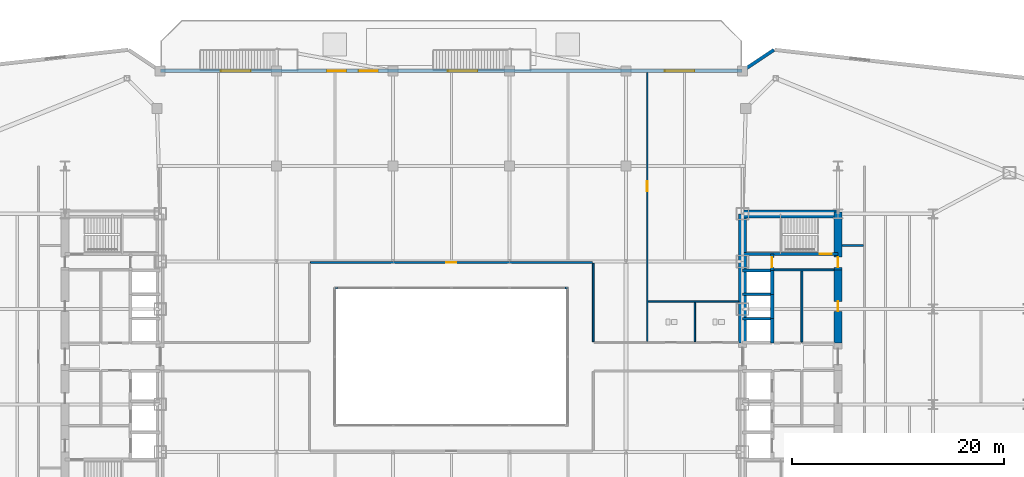
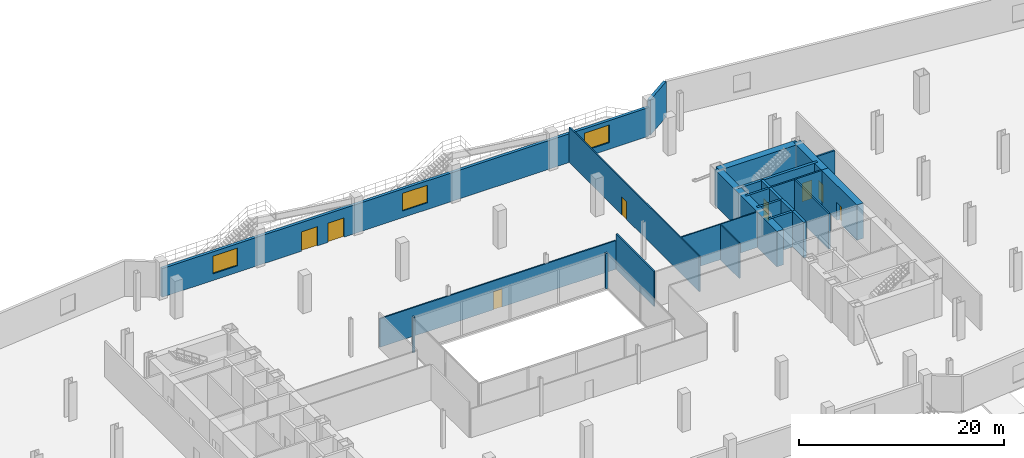
# One storey, part 19 of 25: 24 walls, 8 doors, 3 windows, 11 openings.
"""IFC4 building model written with IfcOpenShell, lengths in metres."""

from ifc_helpers import new_model, si_unit, direction, frame, frame_2d, origin, place, context, subcontext, project, spatial, rectangle, extrude, source, transform, mapped, material, layer, layer_set, type_object, type_shapes, element, fill, save


model = new_model("IFC4")

# Units and contexts
model_context = context("Model", 3, precision=1e-05, world=origin(), true_north=direction((0.0, 1.0)))
body_context = subcontext(model_context, "Body", "Model", "MODEL_VIEW")
ifc_project = project(units=[si_unit("LENGTHUNIT", "METRE"), si_unit("AREAUNIT", "SQUARE_METRE"), si_unit("VOLUMEUNIT", "CUBIC_METRE"), si_unit("PLANEANGLEUNIT", "RADIAN"), si_unit("MASSUNIT", "GRAM", prefix="KILO")], contexts=[model_context])

# Site, building, storey
site_placement = place(None, origin())
site = spatial("IfcSite", under=ifc_project, at=site_placement, CompositionType="ELEMENT")
building_placement = place(site_placement, origin())
building = spatial("IfcBuilding", under=site, at=building_placement, Name="Seokmaru Belvedere", CompositionType="ELEMENT")
storey_placement = place(building_placement, frame((0.0, 0.0, 5.39990234375)))
storey = spatial("IfcBuildingStorey", under=building, at=storey_placement, Name="L01", CompositionType="ELEMENT", Elevation=5.39990234375)

# Wall, opening, door
ifc_material_1 = material(Name="Fire-Rated Gypsum Shaftwall")
ifc_layer_1 = layer(ifc_material_1, 0.14990234375)
ifc_layer_set_1 = layer_set([ifc_layer_1], Name="Fire-Rated Gypsum Shaftwall")
wall_type_1 = type_object("IfcWallType", Name="Apartment Fire-Acoustic Room Partition 150", PredefinedType="PARTITIONING", material=ifc_layer_set_1)
wall_1_placement = place(storey_placement, frame((-13.31494140625, 8.89990234375, 0.0), z_axis=(0.0, 0.0, 1.0), x_axis=(1.0, 0.0, 0.0)))
wall_1 = element("IfcWall", 1, at=wall_1_placement, inside=storey, type_object=wall_type_1, Name="L01 Interior Partition 009", PredefinedType="PARTITIONING", context=body_context, shape_type="SweptSolid", body=[
    extrude(rectangle(XDim=26.6298828125, YDim=0.14990234375, at=frame_2d((13.31494140625, 0.0))), origin(), (0.0, 0.0, 1.0), 3.420166015625),
])
opening_1_placement = place(wall_1_placement, frame((12.840087890625, 0.0, 0.0)))
opening_1 = element("IfcOpeningElement", 2, at=opening_1_placement, cuts=wall_1, Name="Opening D05", PredefinedType="OPENING", context=body_context, shape_type="SweptSolid", body=[
    extrude(rectangle(XDim=0.949951171875, YDim=2.14990234375, at=frame_2d((0.47509765625, 1.074951171875))), frame((0.0, 0.0849609375, 0.0), z_axis=(0.0, -1.0, 0.0), x_axis=(1.0, 0.0, 0.0)), (0.0, 0.0, 1.0), 0.169921875),
])
ifc_material_2 = material(Name="Engineered White Oak Timber", Category="wood")
door_type_1 = type_object("IfcDoorType", Name="Apartment Interior Fire-Rated Oak Door 950x2150", OperationType="NOTDEFINED", PredefinedType="DOOR", material=ifc_material_2)
shared_shape_1 = source(origin(), body_context, "Body", "SweptSolid", [
    extrude(rectangle(XDim=0.949951171875, YDim=2.14990234375, at=frame_2d((0.47509765625, 1.074951171875))), frame((0.0, 0.02490234375, 0.0), z_axis=(0.0, -1.0, 0.0), x_axis=(1.0, 0.0, 0.0)), (0.0, 0.0, 1.0), 0.050048828125),
])
type_shapes(door_type_1, [shared_shape_1])
door_1_placement = place(opening_1_placement, origin())
door_1 = element("IfcDoor", 3, at=door_1_placement, inside=storey, type_object=door_type_1, Name="L01 Interior Door 003", OperationType="SINGLE_SWING_LEFT", OverallHeight=2.14990234375, OverallWidth=0.949951171875, PredefinedType="DOOR", context=body_context, shape_type="MappedRepresentation", body=[
    mapped(shared_shape_1, transform((0.0, 0.0, 0.0), scale=1.0)),
])
fill(opening_1, door_1)

# Walls
wall_2_placement = place(storey_placement, frame((13.39990234375, 1.43505859375, 0.0), z_axis=(0.0, 0.0, 1.0), x_axis=(0.0, 1.0, 0.0)))
element("IfcWall", 4, at=wall_2_placement, inside=storey, type_object=wall_type_1, Name="L01 Interior Partition 016", PredefinedType="PARTITIONING", context=body_context, shape_type="SweptSolid", body=[
    extrude(rectangle(XDim=7.3798828125, YDim=0.14990234375, at=frame_2d((3.68994140625, 0.0))), origin(), (0.0, 0.0, 1.0), 4.22021484375),
])
ifc_material_3 = material(Name="Anodised Bronze Aluminium", Category="aluminium")
ifc_layer_2 = layer(ifc_material_3, 0.2099609375)
ifc_layer_set_2 = layer_set([ifc_layer_2], Name="Anodised Bronze Aluminium")
wall_type_2 = type_object("IfcWallType", Name="Bridge Column Spandrel Closure Pier 210", PredefinedType="SOLIDWALL", material=ifc_layer_set_2)
for number, where, z_axis, x_axis, name in (
    (5, (11.0, 6.5, 0.0), (0.0, 0.0, 1.0), (-1.0, 0.0, 0.0), "L01 Atrium Corner Closure Pier 3"),
    (6, (-11.0, 6.5, 0.0), (0.0, 0.0, 1.0), (1.0, 0.0, 0.0), "L01 Atrium Corner Closure Pier 4"),
):
    element("IfcWall", number, at=place(storey_placement, frame(where, z_axis=z_axis, x_axis=x_axis)), inside=storey, type_object=wall_type_2, Name=name, PredefinedType="SOLIDWALL", context=body_context, shape_type="SweptSolid", body=[
        extrude(rectangle(XDim=0.25, YDim=0.2099609375, at=frame_2d((0.125, 0.0))), origin(), (0.0, 0.0, 1.0), 4.22021484375),
    ])
ifc_layer_3 = layer(ifc_material_1, 0.179931640625)
ifc_layer_set_3 = layer_set([ifc_layer_3], Name="Fire-Rated Gypsum Shaftwall")
wall_type_3 = type_object("IfcWallType", Name="Core Service Fire Partition 180", PredefinedType="PARTITIONING", material=ifc_layer_set_3)
wall_3_placement = place(storey_placement, frame((30.449951171875, 8.199951171875, 0.0), z_axis=(0.0, 0.0, 1.0), x_axis=(1.0, 0.0, 0.0)))
element("IfcWall", 7, at=wall_3_placement, inside=storey, type_object=wall_type_3, Name="L01 East Smokeproof Vestibule Partition", PredefinedType="PARTITIONING", context=body_context, shape_type="SweptSolid", body=[
    extrude(rectangle(XDim=5.699951171875, YDim=0.179931640625, at=frame_2d((2.85009765625, 0.0))), origin(), (0.0, 0.0, 1.0), 4.22021484375),
])
wall_4_placement = place(storey_placement, frame((33.10009765625, 1.3798828125, 0.0), z_axis=(0.0, 0.0, 1.0), x_axis=(0.0, 1.0, 0.0)))
element("IfcWall", 8, at=wall_4_placement, inside=storey, type_object=wall_type_3, Name="L01 East North Core Service Back Wall", PredefinedType="PARTITIONING", context=body_context, shape_type="SweptSolid", body=[
    extrude(rectangle(XDim=6.740234375, YDim=0.179931640625, at=frame_2d((3.3701171875, 0.0))), origin(), (0.0, 0.0, 1.0), 4.22021484375),
])
ifc_material_4 = material(Name="Concrete C50 (50 MPa)", Category="concrete")
ifc_layer_4 = layer(ifc_material_4, 0.25)
ifc_layer_set_4 = layer_set([ifc_layer_4], Name="Concrete C50 (50 MPa)")
wall_type_4 = type_object("IfcWallType", Name="Hoistway Transverse Concrete Divider Wall 250", PredefinedType="SHEAR", material=ifc_layer_set_4)
for number, where, z_axis, x_axis, name in (
    (9, (27.5, 3.60009765625, 0.0), (0.0, 0.0, 1.0), (1.0, 0.0, 0.0), "L01 East Hoistway Divider Core Wall 5"),
    (10, (27.5, 5.89990234375, 0.0), (0.0, 0.0, 1.0), (1.0, 0.0, 0.0), "L01 East Hoistway Divider Core Wall 6"),
    (11, (27.5, 8.14990234375, 0.0), (0.0, 0.0, 1.0), (1.0, 0.0, 0.0), "L01 East Hoistway Divider Core Wall 7"),
):
    element("IfcWall", number, at=place(storey_placement, frame(where, z_axis=z_axis, x_axis=x_axis)), inside=storey, type_object=wall_type_4, Name=name, PredefinedType="SHEAR", context=body_context, shape_type="SweptSolid", body=[
        extrude(rectangle(XDim=2.800048828125, YDim=0.25, at=frame_2d((1.39990234375, 0.0))), origin(), (0.0, 0.0, 1.0), 4.22021484375),
    ])
ifc_layer_5 = layer(ifc_material_1, 0.199951171875)
ifc_layer_set_5 = layer_set([ifc_layer_5], Name="Fire-Rated Gypsum Shaftwall")
wall_type_5 = type_object("IfcWallType", Name="Inter-Tenancy Fire Compartment Partition 200", PredefinedType="PARTITIONING", material=ifc_layer_set_5)
wall_5_placement = place(storey_placement, frame((36.8798828125, 10.5, 0.0), z_axis=(0.0, 0.0, 1.0), x_axis=(1.0, 0.0, 0.0)))
element("IfcWall", 12, at=wall_5_placement, inside=storey, type_object=wall_type_5, Name="L01 Interior Partition 011", PredefinedType="PARTITIONING", context=body_context, shape_type="SweptSolid", body=[
    extrude(rectangle(XDim=2.03515625, YDim=0.199951171875, at=frame_2d((1.017578125, 0.0))), origin(), (0.0, 0.0, 1.0), 4.22021484375),
])

# Wall, opening, door
ifc_layer_6 = layer(ifc_material_4, 0.300048828125)
ifc_layer_set_6 = layer_set([ifc_layer_6], Name="Concrete C50 (50 MPa)")
wall_type_6 = type_object("IfcWallType", Name="Internal Core Stair and Hoistway Wall 300", PredefinedType="SHEAR", material=ifc_layer_set_6)
wall_6_placement = place(storey_placement, frame((27.5, 9.699951171875, 0.0), z_axis=(0.0, 0.0, 1.0), x_axis=(1.0, 0.0, 0.0)))
wall_6 = element("IfcWall", 13, at=wall_6_placement, inside=storey, type_object=wall_type_6, Name="L01 East Stair ST-2 Enclosure Wall", PredefinedType="SHEAR", context=body_context, shape_type="SweptSolid", body=[
    extrude(rectangle(XDim=9.0, YDim=0.300048828125, at=frame_2d((4.5, 0.0))), origin(), (0.0, 0.0, 1.0), 4.22021484375),
])
opening_2_placement = place(wall_6_placement, frame((7.300048828125, 0.0, 0.0)))
opening_2 = element("IfcOpeningElement", 14, at=opening_2_placement, cuts=wall_6, Name="Opening D01", PredefinedType="OPENING", context=body_context, shape_type="SweptSolid", body=[
    extrude(rectangle(XDim=1.10009765625, YDim=2.199951171875, at=frame_2d((0.550048828125, 1.10009765625))), frame((0.0, 0.16015625, 0.0), z_axis=(0.0, -1.0, 0.0), x_axis=(1.0, 0.0, 0.0)), (0.0, 0.0, 1.0), 0.320068359375),
])
ifc_material_5 = material(Name="Fire-Rated Steel Leaf", Category="steel")
door_type_2 = type_object("IfcDoorType", Name="Special Escape Stair Smokeproof Fire Door 1100x2200", OperationType="NOTDEFINED", PredefinedType="DOOR", material=ifc_material_5)
shared_shape_2 = source(origin(), body_context, "Body", "SweptSolid", [
    extrude(rectangle(XDim=1.10009765625, YDim=2.199951171875, at=frame_2d((0.550048828125, 1.10009765625))), frame((0.0, 0.02490234375, 0.0), z_axis=(0.0, -1.0, 0.0), x_axis=(1.0, 0.0, 0.0)), (0.0, 0.0, 1.0), 0.050048828125),
])
type_shapes(door_type_2, [shared_shape_2])
door_2_placement = place(opening_2_placement, origin())
door_2 = element("IfcDoor", 15, at=door_2_placement, inside=storey, type_object=door_type_2, Name="L01 East Special Escape Stair ST-2 Door", OperationType="SINGLE_SWING_LEFT", OverallHeight=2.199951171875, OverallWidth=1.10009765625, PredefinedType="DOOR", context=body_context, shape_type="MappedRepresentation", body=[
    mapped(shared_shape_2, transform((0.0, 0.0, 0.0), scale=1.0)),
])
fill(opening_2, door_2)

# Walls
wall_7_placement = place(storey_placement, frame((30.300048828125, 1.320068359375, 0.0), z_axis=(0.0, 0.0, 1.0), x_axis=(0.0, 1.0, 0.0)))
element("IfcWall", 16, at=wall_7_placement, inside=storey, type_object=wall_type_6, Name="L01 East North Hoistway Wall PH1", PredefinedType="SHEAR", context=body_context, shape_type="SweptSolid", body=[
    extrude(rectangle(XDim=2.280029296875, YDim=0.300048828125, at=frame_2d((1.14013671875, 0.0))), origin(), (0.0, 0.0, 1.0), 4.22021484375),
])
wall_8_placement = place(storey_placement, frame((30.300048828125, 3.60009765625, 0.0), z_axis=(0.0, 0.0, 1.0), x_axis=(0.0, 1.0, 0.0)))
element("IfcWall", 17, at=wall_8_placement, inside=storey, type_object=wall_type_6, Name="L01 East North Hoistway Wall PH2", PredefinedType="SHEAR", context=body_context, shape_type="SweptSolid", body=[
    extrude(rectangle(XDim=2.2998046875, YDim=0.300048828125, at=frame_2d((1.14990234375, 0.0))), origin(), (0.0, 0.0, 1.0), 4.22021484375),
])
wall_9_placement = place(storey_placement, frame((30.300048828125, 5.89990234375, 0.0), z_axis=(0.0, 0.0, 1.0), x_axis=(0.0, 1.0, 0.0)))
element("IfcWall", 18, at=wall_9_placement, inside=storey, type_object=wall_type_6, Name="L01 East North Hoistway Wall OBS", PredefinedType="SHEAR", context=body_context, shape_type="SweptSolid", body=[
    extrude(rectangle(XDim=2.25, YDim=0.300048828125, at=frame_2d((1.125, 0.0))), origin(), (0.0, 0.0, 1.0), 4.22021484375),
])

# Wall, opening, door
wall_10_placement = place(storey_placement, frame((30.300048828125, 8.14990234375, 0.0), z_axis=(0.0, 0.0, 1.0), x_axis=(0.0, 1.0, 0.0)))
wall_10 = element("IfcWall", 19, at=wall_10_placement, inside=storey, type_object=wall_type_6, Name="L01 East Electrical Riser Front Wall", PredefinedType="SHEAR", context=body_context, shape_type="SweptSolid", body=[
    extrude(rectangle(XDim=1.530029296875, YDim=0.300048828125, at=frame_2d((0.76513671875, 0.0))), origin(), (0.0, 0.0, 1.0), 4.22021484375),
])
opening_3_placement = place(wall_10_placement, frame((0.284912109375, 0.0, 0.0)))
opening_3 = element("IfcOpeningElement", 20, at=opening_3_placement, cuts=wall_10, Name="Opening D04", PredefinedType="OPENING", context=body_context, shape_type="SweptSolid", body=[
    extrude(rectangle(XDim=0.949951171875, YDim=2.14990234375, at=frame_2d((0.47509765625, 1.074951171875))), frame((0.0, 0.16015625, 0.0), z_axis=(0.0, -1.0, 0.0), x_axis=(1.0, 0.0, 0.0)), (0.0, 0.0, 1.0), 0.320068359375),
])
door_type_3 = type_object("IfcDoorType", Name="Core Service Room Fire Door 950x2150", OperationType="NOTDEFINED", PredefinedType="DOOR", material=ifc_material_5)
shared_shape_3 = source(origin(), body_context, "Body", "SweptSolid", [
    extrude(rectangle(XDim=0.949951171875, YDim=2.14990234375, at=frame_2d((0.47509765625, 1.074951171875))), frame((0.0, 0.02490234375, 0.0), z_axis=(0.0, -1.0, 0.0), x_axis=(1.0, 0.0, 0.0)), (0.0, 0.0, 1.0), 0.050048828125),
])
type_shapes(door_type_3, [shared_shape_3])
door_3_placement = place(opening_3_placement, origin())
door_3 = element("IfcDoor", 21, at=door_3_placement, inside=storey, type_object=door_type_3, Name="L01 East Electrical Riser Access Door", OperationType="SINGLE_SWING_RIGHT", OverallHeight=2.14990234375, OverallWidth=0.949951171875, PredefinedType="DOOR", context=body_context, shape_type="MappedRepresentation", body=[
    mapped(shared_shape_3, transform((0.0, 0.0, 0.0), scale=1.0)),
])
fill(opening_3, door_3)

# Walls
ifc_material_6 = material(Name="Concrete C60 (60 MPa)", Category="concrete")
ifc_layer_7 = layer(ifc_material_6, 0.75)
ifc_layer_set_7 = layer_set([ifc_layer_7], Name="Concrete C60 (60 MPa)")
wall_type_7 = type_object("IfcWallType", Name="Lower Tower Reinforced Concrete Core Wall 750", PredefinedType="SHEAR", material=ifc_layer_set_7)
wall_11_placement = place(storey_placement, frame((27.5, 1.300048828125, 0.0), z_axis=(0.0, 0.0, 1.0), x_axis=(0.0, 1.0, 0.0)))
element("IfcWall", 22, at=wall_11_placement, inside=storey, type_object=wall_type_7, Name="L01 East Portal Spine Core Wall North", PredefinedType="SHEAR", context=body_context, shape_type="SweptSolid", body=[
    extrude(rectangle(XDim=12.199951171875, YDim=0.75, at=frame_2d((6.10009765625, 0.0))), origin(), (0.0, 0.0, 1.0), 4.22021484375),
])
wall_12_placement = place(storey_placement, frame((27.5, 13.5, 0.0), z_axis=(0.0, 0.0, 1.0), x_axis=(1.0, 0.0, 0.0)))
element("IfcWall", 23, at=wall_12_placement, inside=storey, type_object=wall_type_7, Name="L01 East North Core Wall", PredefinedType="SHEAR", context=body_context, shape_type="SweptSolid", body=[
    extrude(rectangle(XDim=9.0, YDim=0.75, at=frame_2d((4.5, 0.0))), origin(), (0.0, 0.0, 1.0), 4.22021484375),
])

# Wall, opening, door
wall_13_placement = place(storey_placement, frame((36.5, 8.199951171875, 0.0), z_axis=(0.0, 0.0, 1.0), x_axis=(0.0, 1.0, 0.0)))
wall_13 = element("IfcWall", 24, at=wall_13_placement, inside=storey, type_object=wall_type_7, Name="L01 East West Core Wall VST", PredefinedType="SHEAR", context=body_context, shape_type="SweptSolid", body=[
    extrude(rectangle(XDim=5.449951171875, YDim=0.75, at=frame_2d((2.72509765625, 0.0))), origin(), (0.0, 0.0, 1.0), 4.22021484375),
])
opening_4_placement = place(wall_13_placement, frame((0.2451171875, 0.0, 0.0)))
opening_4 = element("IfcOpeningElement", 25, at=opening_4_placement, cuts=wall_13, Name="Opening D04", PredefinedType="OPENING", context=body_context, shape_type="SweptSolid", body=[
    extrude(rectangle(XDim=0.949951171875, YDim=2.14990234375, at=frame_2d((0.47509765625, 1.074951171875))), frame((0.0, 0.385009765625, 0.0), z_axis=(0.0, -1.0, 0.0), x_axis=(1.0, 0.0, 0.0)), (0.0, 0.0, 1.0), 0.77001953125),
])
door_4_placement = place(opening_4_placement, origin())
door_4 = element("IfcDoor", 26, at=door_4_placement, inside=storey, type_object=door_type_3, Name="L01 East Smokeproof Vestibule Door", OperationType="SINGLE_SWING_LEFT", OverallHeight=2.14990234375, OverallWidth=0.949951171875, PredefinedType="DOOR", context=body_context, shape_type="MappedRepresentation", body=[
    mapped(shared_shape_3, transform((0.0, 0.0, 0.0), scale=1.0)),
])
fill(opening_4, door_4)

wall_14_placement = place(storey_placement, frame((36.5, 1.300048828125, 0.0), z_axis=(0.0, 0.0, 1.0), x_axis=(0.0, 1.0, 0.0)))
wall_14 = element("IfcWall", 27, at=wall_14_placement, inside=storey, type_object=wall_type_7, Name="L01 East West Core Wall CS2", PredefinedType="SHEAR", context=body_context, shape_type="SweptSolid", body=[
    extrude(rectangle(XDim=6.89990234375, YDim=0.75, at=frame_2d((3.449951171875, 0.0))), origin(), (0.0, 0.0, 1.0), 4.22021484375),
])
opening_5_placement = place(wall_14_placement, frame((2.97509765625, 0.0, 0.0)))
opening_5 = element("IfcOpeningElement", 28, at=opening_5_placement, cuts=wall_14, Name="Opening D04", PredefinedType="OPENING", context=body_context, shape_type="SweptSolid", body=[
    extrude(rectangle(XDim=0.949951171875, YDim=2.14990234375, at=frame_2d((0.47509765625, 1.074951171875))), frame((0.0, 0.385009765625, 0.0), z_axis=(0.0, -1.0, 0.0), x_axis=(1.0, 0.0, 0.0)), (0.0, 0.0, 1.0), 0.77001953125),
])
door_5_placement = place(opening_5_placement, origin())
door_5 = element("IfcDoor", 29, at=door_5_placement, inside=storey, type_object=door_type_3, Name="L01 East Core Service Room Door 2", OperationType="SINGLE_SWING_LEFT", OverallHeight=2.14990234375, OverallWidth=0.949951171875, PredefinedType="DOOR", context=body_context, shape_type="MappedRepresentation", body=[
    mapped(shared_shape_3, transform((0.0, 0.0, 0.0), scale=1.0)),
])
fill(opening_5, door_5)

# Wall
ifc_layer_8 = layer(ifc_material_1, 0.1298828125)
ifc_layer_set_8 = layer_set([ifc_layer_8], Name="Fire-Rated Gypsum Shaftwall")
wall_type_8 = type_object("IfcWallType", Name="Moisture-Resistant Fire-Rated Bathroom Partition 130", PredefinedType="PARTITIONING", material=ifc_layer_set_8)
wall_15_placement = place(storey_placement, frame((18.5849609375, 5.199951171875, 0.0), z_axis=(0.0, 0.0, 1.0), x_axis=(1.0, 0.0, 0.0)))
element("IfcWall", 30, at=wall_15_placement, inside=storey, type_object=wall_type_8, Name="L01 Interior Partition 008", PredefinedType="PARTITIONING", context=body_context, shape_type="SweptSolid", body=[
    extrude(rectangle(XDim=8.53515625, YDim=0.1298828125, at=frame_2d((4.267578125, 0.0))), origin(), (0.0, 0.0, 1.0), 4.22021484375),
])

# Wall, opening, door
wall_16_placement = place(storey_placement, frame((18.5, 1.43505859375, 0.0), z_axis=(0.0, 0.0, 1.0), x_axis=(0.0, 1.0, 0.0)))
wall_16 = element("IfcWall", 31, at=wall_16_placement, inside=storey, type_object=wall_type_8, Name="L01 Interior Partition 017", PredefinedType="PARTITIONING", context=body_context, shape_type="SweptSolid", body=[
    extrude(rectangle(XDim=25.39990234375, YDim=0.1298828125, at=frame_2d((12.699951171875, 0.0))), origin(), (0.0, 0.0, 1.0), 4.22021484375),
])
opening_6_placement = place(wall_16_placement, frame((14.18994140625, 0.0, 0.0)))
opening_6 = element("IfcOpeningElement", 32, at=opening_6_placement, cuts=wall_16, Name="Opening D05", PredefinedType="OPENING", context=body_context, shape_type="SweptSolid", body=[
    extrude(rectangle(XDim=0.949951171875, YDim=2.14990234375, at=frame_2d((0.47509765625, 1.074951171875))), frame((0.0, 0.074951171875, 0.0), z_axis=(0.0, -1.0, 0.0), x_axis=(1.0, 0.0, 0.0)), (0.0, 0.0, 1.0), 0.14990234375),
])
door_6_placement = place(opening_6_placement, origin())
door_6 = element("IfcDoor", 33, at=door_6_placement, inside=storey, type_object=door_type_1, Name="L01 Interior Door 007", OperationType="SINGLE_SWING_LEFT", OverallHeight=2.14990234375, OverallWidth=0.949951171875, PredefinedType="DOOR", context=body_context, shape_type="MappedRepresentation", body=[
    mapped(shared_shape_1, transform((0.0, 0.0, 0.0), scale=1.0)),
])
fill(opening_6, door_6)

# Walls
wall_17_placement = place(storey_placement, frame((23.0, 1.43505859375, 0.0), z_axis=(0.0, 0.0, 1.0), x_axis=(0.0, 1.0, 0.0)))
element("IfcWall", 34, at=wall_17_placement, inside=storey, type_object=wall_type_8, Name="L01 Interior Partition 018", PredefinedType="PARTITIONING", context=body_context, shape_type="SweptSolid", body=[
    extrude(rectangle(XDim=3.679931640625, YDim=0.1298828125, at=frame_2d((1.83984375, 0.0))), origin(), (0.0, 0.0, 1.0), 4.22021484375),
])
ifc_material_7 = material(Name="Concrete C40 (40 MPa)", Category="concrete")
ifc_layer_9 = layer(ifc_material_7, 0.320068359375)
ifc_layer_set_9 = layer_set([ifc_layer_9], Name="Concrete C40 (40 MPa)")
wall_type_9 = type_object("IfcWallType", Name="Podium Terrace Insulated Wall 320", PredefinedType="SOLIDWALL", material=ifc_layer_set_9)
wall_18_placement = place(storey_placement, frame((30.466796875, 28.977783203125, 0.0), z_axis=(0.0, 0.0, 1.0), x_axis=(-0.832071600484, -0.554668235676, 0.0)))
element("IfcWall", 35, at=wall_18_placement, inside=storey, type_object=wall_type_9, Name="L01 Exterior Podium Wall 08", PredefinedType="SOLIDWALL", context=body_context, shape_type="SweptSolid", body=[
    extrude(rectangle(XDim=3.525634765625, YDim=0.320068359375, at=frame_2d((1.7626953125, 0.0))), origin(), (0.0, 0.0, 1.0), 4.22021484375),
])

# Wall, openings, doors, windows
wall_19_placement = place(storey_placement, frame((27.4599609375, 27.0, 0.0), z_axis=(0.0, 0.0, 1.0), x_axis=(-1.0, 0.0, 0.0)))
wall_19 = element("IfcWall", 36, at=wall_19_placement, inside=storey, type_object=wall_type_9, Name="L01 Exterior Podium Wall 09", PredefinedType="SOLIDWALL", context=body_context, shape_type="SweptSolid", body=[
    extrude(rectangle(XDim=54.919921875, YDim=0.320068359375, at=frame_2d((27.4599609375, 0.0))), origin(), (0.0, 0.0, 1.0), 3.420166015625),
])
opening_7_placement = place(wall_19_placement, frame((34.39990234375, 0.0, 0.0)))
opening_7 = element("IfcOpeningElement", 37, at=opening_7_placement, cuts=wall_19, Name="Opening DX3", PredefinedType="OPENING", context=body_context, shape_type="SweptSolid", body=[
    extrude(rectangle(XDim=1.800048828125, YDim=2.300048828125, at=frame_2d((0.89990234375, 1.14990234375))), frame((0.0, 0.169921875, 0.0), z_axis=(0.0, -1.0, 0.0), x_axis=(1.0, 0.0, 0.0)), (0.0, 0.0, 1.0), 0.340087890625),
])
opening_8_placement = place(wall_19_placement, frame((37.39990234375, 0.0, 0.0)))
opening_8 = element("IfcOpeningElement", 38, at=opening_8_placement, cuts=wall_19, Name="Opening DX3", PredefinedType="OPENING", context=body_context, shape_type="SweptSolid", body=[
    extrude(rectangle(XDim=1.800048828125, YDim=2.300048828125, at=frame_2d((0.89990234375, 1.14990234375))), frame((0.0, 0.169921875, 0.0), z_axis=(0.0, -1.0, 0.0), x_axis=(1.0, 0.0, 0.0)), (0.0, 0.0, 1.0), 0.340087890625),
])
opening_9_placement = place(wall_19_placement, frame((4.5, 0.0, 0.800048828125)))
opening_9 = element("IfcOpeningElement", 39, at=opening_9_placement, cuts=wall_19, Name="Opening WN5", PredefinedType="OPENING", context=body_context, shape_type="SweptSolid", body=[
    extrude(rectangle(XDim=2.800048828125, YDim=2.10009765625, at=frame_2d((1.39990234375, 1.050048828125))), frame((0.0, 0.169921875, 0.0), z_axis=(0.0, -1.0, 0.0), x_axis=(1.0, 0.0, 0.0)), (0.0, 0.0, 1.0), 0.340087890625),
])
opening_10_placement = place(wall_19_placement, frame((25.0, 0.0, 0.800048828125)))
opening_10 = element("IfcOpeningElement", 40, at=opening_10_placement, cuts=wall_19, Name="Opening WN5", PredefinedType="OPENING", context=body_context, shape_type="SweptSolid", body=[
    extrude(rectangle(XDim=2.800048828125, YDim=2.10009765625, at=frame_2d((1.39990234375, 1.050048828125))), frame((0.0, 0.169921875, 0.0), z_axis=(0.0, -1.0, 0.0), x_axis=(1.0, 0.0, 0.0)), (0.0, 0.0, 1.0), 0.340087890625),
])
opening_11_placement = place(wall_19_placement, frame((46.419921875, 0.0, 0.800048828125)))
opening_11 = element("IfcOpeningElement", 41, at=opening_11_placement, cuts=wall_19, Name="Opening WN5", PredefinedType="OPENING", context=body_context, shape_type="SweptSolid", body=[
    extrude(rectangle(XDim=2.800048828125, YDim=2.10009765625, at=frame_2d((1.39990234375, 1.050048828125))), frame((0.0, 0.169921875, 0.0), z_axis=(0.0, -1.0, 0.0), x_axis=(1.0, 0.0, 0.0)), (0.0, 0.0, 1.0), 0.340087890625),
])
door_type_4 = type_object("IfcDoorType", Name="Cascading Terrace Glazed Double Door 1800x2300", OperationType="DOUBLE_SWING_LEFT", PredefinedType="DOOR", material=ifc_material_3)
shared_shape_4 = source(origin(), body_context, "Body", "SweptSolid", [
    extrude(rectangle(XDim=1.800048828125, YDim=2.300048828125, at=frame_2d((0.89990234375, 1.14990234375))), frame((0.0, 0.02490234375, 0.0), z_axis=(0.0, -1.0, 0.0), x_axis=(1.0, 0.0, 0.0)), (0.0, 0.0, 1.0), 0.050048828125),
])
type_shapes(door_type_4, [shared_shape_4])
door_7_placement = place(opening_7_placement, frame((1.800048828125, 0.0, 0.0), z_axis=(0.0, 0.0, 1.0), x_axis=(-1.0, 0.0, 0.0)))
door_7 = element("IfcDoor", 42, at=door_7_placement, inside=storey, type_object=door_type_4, Name="L01 North Garden Terrace Access Door 1", OperationType="DOUBLE_SWING_LEFT", OverallHeight=2.300048828125, OverallWidth=1.800048828125, PredefinedType="DOOR", context=body_context, shape_type="MappedRepresentation", body=[
    mapped(shared_shape_4, transform((0.0, 0.0, 0.0), scale=1.0)),
])
fill(opening_7, door_7)
door_8_placement = place(opening_8_placement, frame((1.800048828125, 0.0, 0.0), z_axis=(0.0, 0.0, 1.0), x_axis=(-1.0, 0.0, 0.0)))
door_8 = element("IfcDoor", 43, at=door_8_placement, inside=storey, type_object=door_type_4, Name="L01 North Garden Terrace Access Door 2", OperationType="DOUBLE_SWING_LEFT", OverallHeight=2.300048828125, OverallWidth=1.800048828125, PredefinedType="DOOR", context=body_context, shape_type="MappedRepresentation", body=[
    mapped(shared_shape_4, transform((0.0, 0.0, 0.0), scale=1.0)),
])
fill(opening_8, door_8)
ifc_material_8 = material(Name="Bronze Triple Insulating Glass", Category="glass")
window_type = type_object("IfcWindowType", Name="Terrace Salon Panorama Window 2800x2100", PartitioningType="SINGLE_PANEL", PredefinedType="WINDOW", material=ifc_material_8)
shared_shape_5 = source(origin(), body_context, "Body", "SweptSolid", [
    extrude(rectangle(XDim=2.800048828125, YDim=2.10009765625, at=frame_2d((1.39990234375, 1.050048828125))), frame((0.0, 0.030029296875, 0.0), z_axis=(0.0, -1.0, 0.0), x_axis=(1.0, 0.0, 0.0)), (0.0, 0.0, 1.0), 0.06005859375),
])
type_shapes(window_type, [shared_shape_5])
window_1_placement = place(opening_9_placement, origin())
window_1 = element("IfcWindow", 44, at=window_1_placement, inside=storey, type_object=window_type, Name="L01 North Terrace Window 1", OverallHeight=2.10009765625, OverallWidth=2.800048828125, PartitioningType="SINGLE_PANEL", PredefinedType="WINDOW", context=body_context, shape_type="MappedRepresentation", body=[
    mapped(shared_shape_5, transform((0.0, 0.0, 0.0), scale=1.0)),
])
fill(opening_9, window_1)
window_2_placement = place(opening_10_placement, origin())
window_2 = element("IfcWindow", 45, at=window_2_placement, inside=storey, type_object=window_type, Name="L01 North Terrace Window 2", OverallHeight=2.10009765625, OverallWidth=2.800048828125, PartitioningType="SINGLE_PANEL", PredefinedType="WINDOW", context=body_context, shape_type="MappedRepresentation", body=[
    mapped(shared_shape_5, transform((0.0, 0.0, 0.0), scale=1.0)),
])
fill(opening_10, window_2)
window_3_placement = place(opening_11_placement, origin())
window_3 = element("IfcWindow", 46, at=window_3_placement, inside=storey, type_object=window_type, Name="L01 North Terrace Window 3", OverallHeight=2.10009765625, OverallWidth=2.800048828125, PartitioningType="SINGLE_PANEL", PredefinedType="WINDOW", context=body_context, shape_type="MappedRepresentation", body=[
    mapped(shared_shape_5, transform((0.0, 0.0, 0.0), scale=1.0)),
])
fill(opening_11, window_3)

save(model, "model.ifc")
